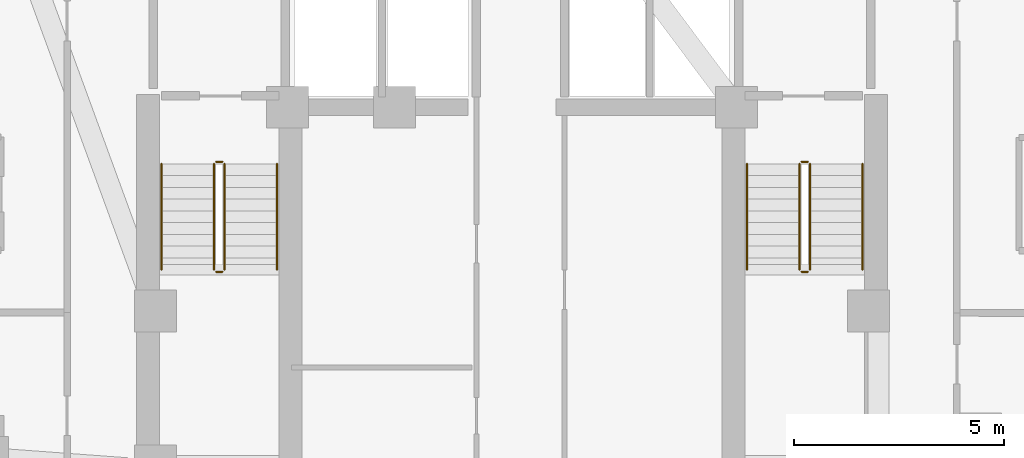
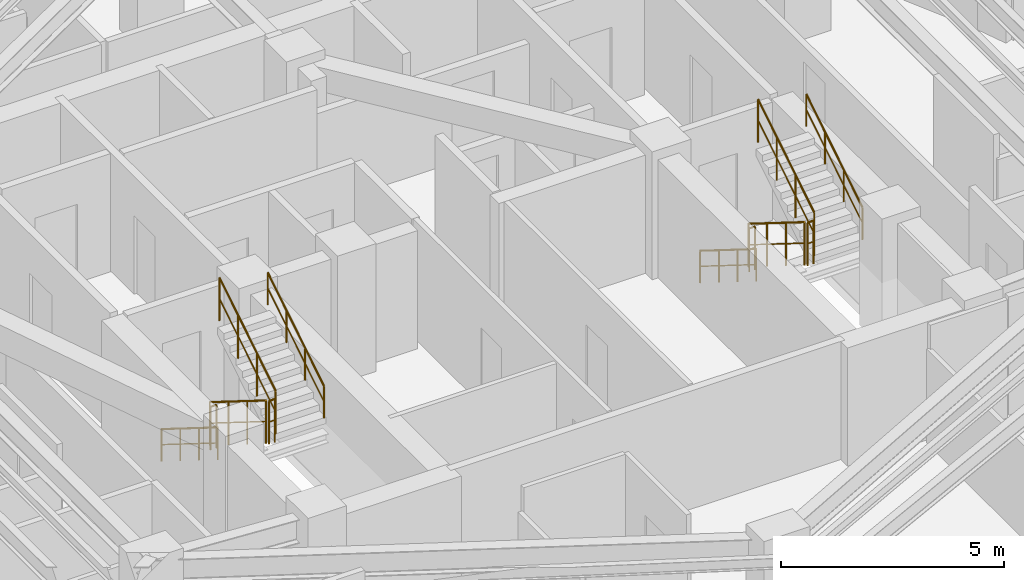
# One storey, part 9 of 9: 12 railings.
"""IFC4 building model written with IfcOpenShell, lengths in metres."""

from ifc_helpers import new_model, si_unit, direction, frame, origin, origin_2d, place, context, subcontext, project, spatial, circle, extrude, material, type_object, element, save


model = new_model("IFC4")

# Units and contexts
model_context = context("Model", 3, precision=1e-05, world=origin(), true_north=direction((0.0, 1.0)))
body_context = subcontext(model_context, "Body", "Model", "MODEL_VIEW")
ifc_project = project(units=[si_unit("LENGTHUNIT", "METRE"), si_unit("AREAUNIT", "SQUARE_METRE"), si_unit("VOLUMEUNIT", "CUBIC_METRE"), si_unit("PLANEANGLEUNIT", "RADIAN"), si_unit("MASSUNIT", "GRAM", prefix="KILO")], contexts=[model_context])

# Site, building, storey
site_placement = place(None, origin())
site = spatial("IfcSite", under=ifc_project, at=site_placement, CompositionType="ELEMENT")
building_placement = place(site_placement, origin())
building = spatial("IfcBuilding", under=site, at=building_placement, Name="Miruveldt Soraemaru", CompositionType="ELEMENT")
storey_placement = place(building_placement, frame((0.0, 0.0, 170.39990234375)))
storey = spatial("IfcBuildingStorey", under=building, at=storey_placement, Name="L47", CompositionType="ELEMENT", Elevation=170.39990234375)

# Railings
ifc_material = material(Name="Steel S355 (355 MPa)", Category="steel")
railing_type_1 = type_object("IfcRailingType", Name="RAIL-HR-900", PredefinedType="HANDRAIL", material=ifc_material)
railing_1_placement = place(storey_placement, frame((35.64990234375, 42.699951171875, 0.175048828125)))
element("IfcRailing", 1, at=railing_1_placement, inside=storey, type_object=railing_type_1, Name="L47 ST-1 stair handrail 1", PredefinedType="HANDRAIL", context=body_context, shape_type="SweptSolid", body=[
    extrude(circle(Radius=0.02392578125, at=origin_2d()), frame((0.0, 0.0, 0.8759765625), z_axis=(0.0, -0.848007534815, 0.529984170421), x_axis=(1.0, 0.0, 0.0)), (0.0, 0.0, 1.0), 2.9716796875),
    extrude(circle(Radius=0.01611328125, at=origin_2d()), frame((0.0, 0.0, 0.449951171875), z_axis=(0.0, -0.848007534815, 0.529984170421), x_axis=(1.0, 0.0, 0.0)), (0.0, 0.0, 1.0), 2.9716796875),
    extrude(circle(Radius=0.02099609375, at=origin_2d()), origin(), (0.0, 0.0, 1.0), 0.851806640625),
    extrude(circle(Radius=0.02099609375, at=origin_2d()), frame((0.0, -0.840087890625, 0.52490234375)), (0.0, 0.0, 1.0), 0.851806640625),
    extrude(circle(Radius=0.02099609375, at=origin_2d()), frame((0.0, -1.679931640625, 1.050048828125)), (0.0, 0.0, 1.0), 0.851806640625),
    extrude(circle(Radius=0.02099609375, at=origin_2d()), frame((0.0, -2.52001953125, 1.574951171875)), (0.0, 0.0, 1.0), 0.851806640625),
])
railing_2_placement = place(storey_placement, frame((38.39990234375, 40.179931640625, 1.925048828125)))
element("IfcRailing", 2, at=railing_2_placement, inside=storey, type_object=railing_type_1, Name="L47 ST-1 stair handrail 2", PredefinedType="HANDRAIL", context=body_context, shape_type="SweptSolid", body=[
    extrude(circle(Radius=0.02392578125, at=origin_2d()), frame((0.0, 0.0, 0.8759765625), z_axis=(0.0, 0.848007534815, 0.529984170421), x_axis=(-1.0, 0.0, 0.0)), (0.0, 0.0, 1.0), 2.9716796875),
    extrude(circle(Radius=0.01611328125, at=origin_2d()), frame((0.0, 0.0, 0.449951171875), z_axis=(0.0, 0.848007534815, 0.529984170421), x_axis=(-1.0, 0.0, 0.0)), (0.0, 0.0, 1.0), 2.9716796875),
    extrude(circle(Radius=0.02099609375, at=origin_2d()), origin(), (0.0, 0.0, 1.0), 0.851806640625),
    extrude(circle(Radius=0.02099609375, at=origin_2d()), frame((0.0, 0.840087890625, 0.52490234375)), (0.0, 0.0, 1.0), 0.851806640625),
    extrude(circle(Radius=0.02099609375, at=origin_2d()), frame((0.0, 1.679931640625, 1.050048828125)), (0.0, 0.0, 1.0), 0.851806640625),
    extrude(circle(Radius=0.02099609375, at=origin_2d()), frame((0.0, 2.52001953125, 1.574951171875)), (0.0, 0.0, 1.0), 0.851806640625),
])
railing_3_placement = place(storey_placement, frame((49.60009765625, 42.699951171875, 0.175048828125)))
element("IfcRailing", 3, at=railing_3_placement, inside=storey, type_object=railing_type_1, Name="L47 ST-2 stair handrail 1", PredefinedType="HANDRAIL", context=body_context, shape_type="SweptSolid", body=[
    extrude(circle(Radius=0.02392578125, at=origin_2d()), frame((0.0, 0.0, 0.8759765625), z_axis=(0.0, -0.848007534815, 0.529984170421), x_axis=(1.0, 0.0, 0.0)), (0.0, 0.0, 1.0), 2.9716796875),
    extrude(circle(Radius=0.01611328125, at=origin_2d()), frame((0.0, 0.0, 0.449951171875), z_axis=(0.0, -0.848007534815, 0.529984170421), x_axis=(1.0, 0.0, 0.0)), (0.0, 0.0, 1.0), 2.9716796875),
    extrude(circle(Radius=0.02099609375, at=origin_2d()), origin(), (0.0, 0.0, 1.0), 0.851806640625),
    extrude(circle(Radius=0.02099609375, at=origin_2d()), frame((0.0, -0.840087890625, 0.52490234375)), (0.0, 0.0, 1.0), 0.851806640625),
    extrude(circle(Radius=0.02099609375, at=origin_2d()), frame((0.0, -1.679931640625, 1.050048828125)), (0.0, 0.0, 1.0), 0.851806640625),
    extrude(circle(Radius=0.02099609375, at=origin_2d()), frame((0.0, -2.52001953125, 1.574951171875)), (0.0, 0.0, 1.0), 0.851806640625),
])
railing_4_placement = place(storey_placement, frame((52.35009765625, 40.179931640625, 1.925048828125)))
element("IfcRailing", 4, at=railing_4_placement, inside=storey, type_object=railing_type_1, Name="L47 ST-2 stair handrail 2", PredefinedType="HANDRAIL", context=body_context, shape_type="SweptSolid", body=[
    extrude(circle(Radius=0.02392578125, at=origin_2d()), frame((0.0, 0.0, 0.8759765625), z_axis=(0.0, 0.848007534815, 0.529984170421), x_axis=(-1.0, 0.0, 0.0)), (0.0, 0.0, 1.0), 2.9716796875),
    extrude(circle(Radius=0.01611328125, at=origin_2d()), frame((0.0, 0.0, 0.449951171875), z_axis=(0.0, 0.848007534815, 0.529984170421), x_axis=(-1.0, 0.0, 0.0)), (0.0, 0.0, 1.0), 2.9716796875),
    extrude(circle(Radius=0.02099609375, at=origin_2d()), origin(), (0.0, 0.0, 1.0), 0.851806640625),
    extrude(circle(Radius=0.02099609375, at=origin_2d()), frame((0.0, 0.840087890625, 0.52490234375)), (0.0, 0.0, 1.0), 0.851806640625),
    extrude(circle(Radius=0.02099609375, at=origin_2d()), frame((0.0, 1.679931640625, 1.050048828125)), (0.0, 0.0, 1.0), 0.851806640625),
    extrude(circle(Radius=0.02099609375, at=origin_2d()), frame((0.0, 2.52001953125, 1.574951171875)), (0.0, 0.0, 1.0), 0.851806640625),
])
railing_type_2 = type_object("IfcRailingType", Name="RAIL-STGUARD-1200", PredefinedType="GUARDRAIL", material=ifc_material)
railing_5_placement = place(storey_placement, frame((36.89990234375, 42.699951171875, 0.175048828125)))
element("IfcRailing", 5, at=railing_5_placement, inside=storey, type_object=railing_type_2, Name="L47 ST-1 stair guard 1", PredefinedType="GUARDRAIL", context=body_context, shape_type="SweptSolid", body=[
    extrude(circle(Radius=0.02392578125, at=origin_2d()), frame((0.0, 0.0, 1.17578125), z_axis=(0.0, -0.848007534815, 0.529984170421), x_axis=(1.0, 0.0, 0.0)), (0.0, 0.0, 1.0), 2.9716796875),
    extrude(circle(Radius=0.01611328125, at=origin_2d()), frame((0.0, 0.0, 0.60009765625), z_axis=(0.0, -0.848007534815, 0.529984170421), x_axis=(1.0, 0.0, 0.0)), (0.0, 0.0, 1.0), 2.9716796875),
    extrude(circle(Radius=0.02099609375, at=origin_2d()), origin(), (0.0, 0.0, 1.0), 1.15185546875),
    extrude(circle(Radius=0.02099609375, at=origin_2d()), frame((0.0, -0.840087890625, 0.52490234375)), (0.0, 0.0, 1.0), 1.15185546875),
    extrude(circle(Radius=0.02099609375, at=origin_2d()), frame((0.0, -1.679931640625, 1.050048828125)), (0.0, 0.0, 1.0), 1.15185546875),
    extrude(circle(Radius=0.02099609375, at=origin_2d()), frame((0.0, -2.52001953125, 1.574951171875)), (0.0, 0.0, 1.0), 1.15185546875),
])
railing_6_placement = place(storey_placement, frame((36.949951171875, 40.1298828125, 1.75)))
element("IfcRailing", 6, at=railing_6_placement, inside=storey, type_object=railing_type_2, Name="L47 ST-1 stair guard 2", PredefinedType="GUARDRAIL", context=body_context, shape_type="SweptSolid", body=[
    extrude(circle(Radius=0.02392578125, at=origin_2d()), frame((0.0, 0.0, 1.17578125), z_axis=(1.0, 0.0, 0.0), x_axis=(0.0, 1.0, 0.0)), (0.0, 0.0, 1.0), 0.150146484375),
    extrude(circle(Radius=0.01611328125, at=origin_2d()), frame((0.0, 0.0, 0.60009765625), z_axis=(1.0, 0.0, 0.0), x_axis=(0.0, 1.0, 0.0)), (0.0, 0.0, 1.0), 0.150146484375),
    extrude(circle(Radius=0.02099609375, at=origin_2d()), origin(), (0.0, 0.0, 1.0), 1.15185546875),
    extrude(circle(Radius=0.02099609375, at=origin_2d()), frame((0.150146484375, 0.0, 0.0)), (0.0, 0.0, 1.0), 1.15185546875),
])
railing_7_placement = place(storey_placement, frame((37.14990234375, 40.179931640625, 1.925048828125)))
element("IfcRailing", 7, at=railing_7_placement, inside=storey, type_object=railing_type_2, Name="L47 ST-1 stair guard 3", PredefinedType="GUARDRAIL", context=body_context, shape_type="SweptSolid", body=[
    extrude(circle(Radius=0.02392578125, at=origin_2d()), frame((0.0, 0.0, 1.17578125), z_axis=(0.0, 0.848007534815, 0.529984170421), x_axis=(-1.0, 0.0, 0.0)), (0.0, 0.0, 1.0), 2.9716796875),
    extrude(circle(Radius=0.01611328125, at=origin_2d()), frame((0.0, 0.0, 0.60009765625), z_axis=(0.0, 0.848007534815, 0.529984170421), x_axis=(-1.0, 0.0, 0.0)), (0.0, 0.0, 1.0), 2.9716796875),
    extrude(circle(Radius=0.02099609375, at=origin_2d()), origin(), (0.0, 0.0, 1.0), 1.15185546875),
    extrude(circle(Radius=0.02099609375, at=origin_2d()), frame((0.0, 0.840087890625, 0.52490234375)), (0.0, 0.0, 1.0), 1.15185546875),
    extrude(circle(Radius=0.02099609375, at=origin_2d()), frame((0.0, 1.679931640625, 1.050048828125)), (0.0, 0.0, 1.0), 1.15185546875),
    extrude(circle(Radius=0.02099609375, at=origin_2d()), frame((0.0, 2.52001953125, 1.574951171875)), (0.0, 0.0, 1.0), 1.15185546875),
])
railing_8_placement = place(storey_placement, frame((36.949951171875, 42.75, 0.0)))
element("IfcRailing", 8, at=railing_8_placement, inside=storey, type_object=railing_type_2, Name="L47 ST-1 stair guard 4", PredefinedType="GUARDRAIL", context=body_context, shape_type="SweptSolid", body=[
    extrude(circle(Radius=0.02392578125, at=origin_2d()), frame((0.0, 0.0, 1.17578125), z_axis=(1.0, 0.0, 0.0), x_axis=(0.0, 1.0, 0.0)), (0.0, 0.0, 1.0), 0.150146484375),
    extrude(circle(Radius=0.01611328125, at=origin_2d()), frame((0.0, 0.0, 0.60009765625), z_axis=(1.0, 0.0, 0.0), x_axis=(0.0, 1.0, 0.0)), (0.0, 0.0, 1.0), 0.150146484375),
    extrude(circle(Radius=0.02099609375, at=origin_2d()), origin(), (0.0, 0.0, 1.0), 1.15185546875),
    extrude(circle(Radius=0.02099609375, at=origin_2d()), frame((0.150146484375, 0.0, 0.0)), (0.0, 0.0, 1.0), 1.15185546875),
])
railing_9_placement = place(storey_placement, frame((50.85009765625, 42.699951171875, 0.175048828125)))
element("IfcRailing", 9, at=railing_9_placement, inside=storey, type_object=railing_type_2, Name="L47 ST-2 stair guard 1", PredefinedType="GUARDRAIL", context=body_context, shape_type="SweptSolid", body=[
    extrude(circle(Radius=0.02392578125, at=origin_2d()), frame((0.0, 0.0, 1.17578125), z_axis=(0.0, -0.848007534815, 0.529984170421), x_axis=(1.0, 0.0, 0.0)), (0.0, 0.0, 1.0), 2.9716796875),
    extrude(circle(Radius=0.01611328125, at=origin_2d()), frame((0.0, 0.0, 0.60009765625), z_axis=(0.0, -0.848007534815, 0.529984170421), x_axis=(1.0, 0.0, 0.0)), (0.0, 0.0, 1.0), 2.9716796875),
    extrude(circle(Radius=0.02099609375, at=origin_2d()), origin(), (0.0, 0.0, 1.0), 1.15185546875),
    extrude(circle(Radius=0.02099609375, at=origin_2d()), frame((0.0, -0.840087890625, 0.52490234375)), (0.0, 0.0, 1.0), 1.15185546875),
    extrude(circle(Radius=0.02099609375, at=origin_2d()), frame((0.0, -1.679931640625, 1.050048828125)), (0.0, 0.0, 1.0), 1.15185546875),
    extrude(circle(Radius=0.02099609375, at=origin_2d()), frame((0.0, -2.52001953125, 1.574951171875)), (0.0, 0.0, 1.0), 1.15185546875),
])
railing_10_placement = place(storey_placement, frame((50.89990234375, 40.1298828125, 1.75)))
element("IfcRailing", 10, at=railing_10_placement, inside=storey, type_object=railing_type_2, Name="L47 ST-2 stair guard 2", PredefinedType="GUARDRAIL", context=body_context, shape_type="SweptSolid", body=[
    extrude(circle(Radius=0.02392578125, at=origin_2d()), frame((0.0, 0.0, 1.17578125), z_axis=(1.0, 0.0, 0.0), x_axis=(0.0, 1.0, 0.0)), (0.0, 0.0, 1.0), 0.150146484375),
    extrude(circle(Radius=0.01611328125, at=origin_2d()), frame((0.0, 0.0, 0.60009765625), z_axis=(1.0, 0.0, 0.0), x_axis=(0.0, 1.0, 0.0)), (0.0, 0.0, 1.0), 0.150146484375),
    extrude(circle(Radius=0.02099609375, at=origin_2d()), origin(), (0.0, 0.0, 1.0), 1.15185546875),
    extrude(circle(Radius=0.02099609375, at=origin_2d()), frame((0.150146484375, 0.0, 0.0)), (0.0, 0.0, 1.0), 1.15185546875),
])
railing_11_placement = place(storey_placement, frame((51.10009765625, 40.179931640625, 1.925048828125)))
element("IfcRailing", 11, at=railing_11_placement, inside=storey, type_object=railing_type_2, Name="L47 ST-2 stair guard 3", PredefinedType="GUARDRAIL", context=body_context, shape_type="SweptSolid", body=[
    extrude(circle(Radius=0.02392578125, at=origin_2d()), frame((0.0, 0.0, 1.17578125), z_axis=(0.0, 0.848007534815, 0.529984170421), x_axis=(-1.0, 0.0, 0.0)), (0.0, 0.0, 1.0), 2.9716796875),
    extrude(circle(Radius=0.01611328125, at=origin_2d()), frame((0.0, 0.0, 0.60009765625), z_axis=(0.0, 0.848007534815, 0.529984170421), x_axis=(-1.0, 0.0, 0.0)), (0.0, 0.0, 1.0), 2.9716796875),
    extrude(circle(Radius=0.02099609375, at=origin_2d()), origin(), (0.0, 0.0, 1.0), 1.15185546875),
    extrude(circle(Radius=0.02099609375, at=origin_2d()), frame((0.0, 0.840087890625, 0.52490234375)), (0.0, 0.0, 1.0), 1.15185546875),
    extrude(circle(Radius=0.02099609375, at=origin_2d()), frame((0.0, 1.679931640625, 1.050048828125)), (0.0, 0.0, 1.0), 1.15185546875),
    extrude(circle(Radius=0.02099609375, at=origin_2d()), frame((0.0, 2.52001953125, 1.574951171875)), (0.0, 0.0, 1.0), 1.15185546875),
])
railing_12_placement = place(storey_placement, frame((50.89990234375, 42.75, 0.0)))
element("IfcRailing", 12, at=railing_12_placement, inside=storey, type_object=railing_type_2, Name="L47 ST-2 stair guard 4", PredefinedType="GUARDRAIL", context=body_context, shape_type="SweptSolid", body=[
    extrude(circle(Radius=0.02392578125, at=origin_2d()), frame((0.0, 0.0, 1.17578125), z_axis=(1.0, 0.0, 0.0), x_axis=(0.0, 1.0, 0.0)), (0.0, 0.0, 1.0), 0.150146484375),
    extrude(circle(Radius=0.01611328125, at=origin_2d()), frame((0.0, 0.0, 0.60009765625), z_axis=(1.0, 0.0, 0.0), x_axis=(0.0, 1.0, 0.0)), (0.0, 0.0, 1.0), 0.150146484375),
    extrude(circle(Radius=0.02099609375, at=origin_2d()), origin(), (0.0, 0.0, 1.0), 1.15185546875),
    extrude(circle(Radius=0.02099609375, at=origin_2d()), frame((0.150146484375, 0.0, 0.0)), (0.0, 0.0, 1.0), 1.15185546875),
])

save(model, "model.ifc")
